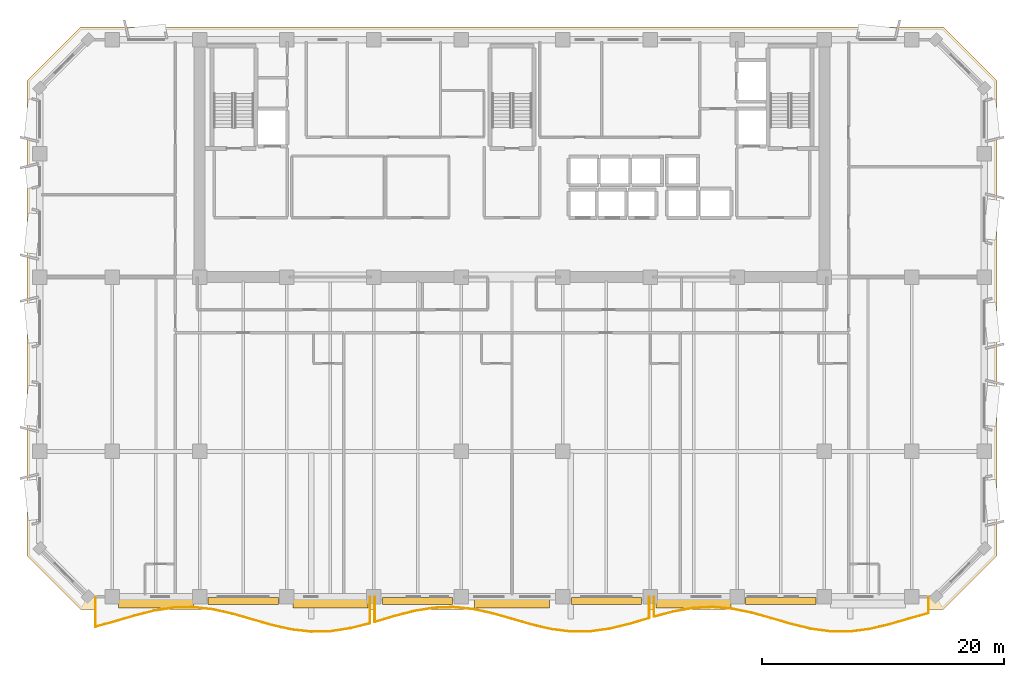
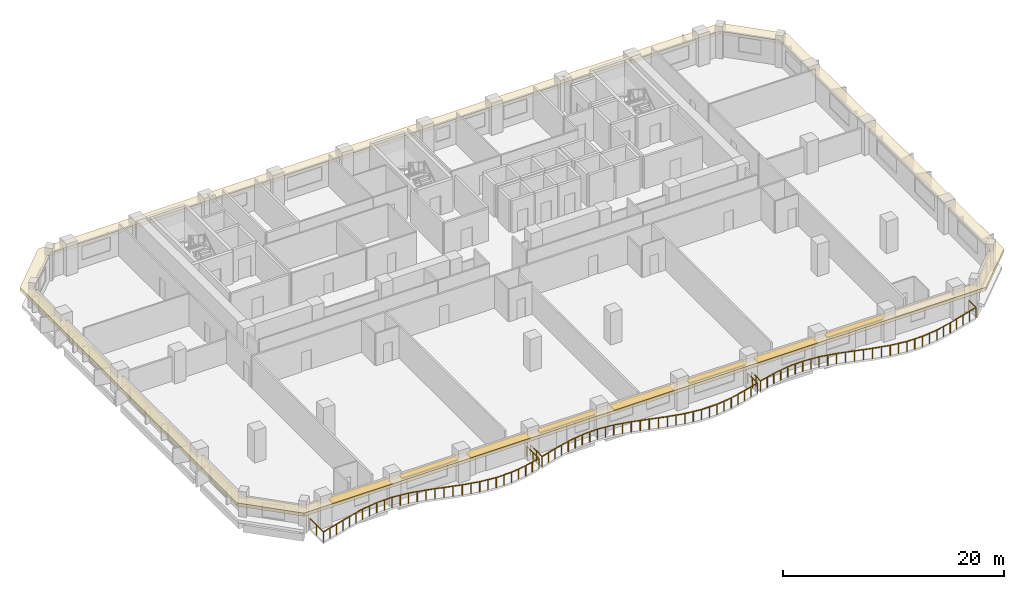
# One storey, part 10 of 14: 8 shading devices, 3 railings, 1 covering.
"""IFC4 building model written with IfcOpenShell, lengths in metres."""

from ifc_helpers import new_model, si_unit, direction, frame, origin, origin_2d, place, context, subcontext, project, spatial, polyline, rectangle, outline, extrude, material, layer, layer_set, type_object, element, save


model = new_model("IFC4")

# Units and contexts
model_context = context("Model", 3, precision=1e-05, world=origin(), true_north=direction((0.0, 1.0)))
body_context = subcontext(model_context, "Body", "Model", "MODEL_VIEW")
ifc_project = project(units=[si_unit("LENGTHUNIT", "METRE"), si_unit("AREAUNIT", "SQUARE_METRE"), si_unit("VOLUMEUNIT", "CUBIC_METRE"), si_unit("PLANEANGLEUNIT", "RADIAN"), si_unit("MASSUNIT", "GRAM", prefix="KILO")], contexts=[model_context])

# Site, building, storey
site_placement = place(None, origin())
site = spatial("IfcSite", under=ifc_project, at=site_placement, CompositionType="ELEMENT")
building_placement = place(site_placement, origin())
building = spatial("IfcBuilding", under=site, at=building_placement, Name="Kaelvorn Grand Hotel", CompositionType="ELEMENT")
storey_placement = place(building_placement, frame((0.0, 0.0, 220.550048828125)))
storey = spatial("IfcBuildingStorey", under=building, at=storey_placement, Name="L54", CompositionType="ELEMENT", Elevation=220.550048828125)

# Covering
ifc_material_1 = material(Name="Precast concrete C45/55", Category="concrete")
ifc_layer_1 = layer(ifc_material_1, 0.260009765625)
ifc_layer_set_1 = layer_set([ifc_layer_1], Name="Precast concrete C45/55")
covering_type = type_object("IfcCoveringType", Name="COV-BAND-STREAMLINE-HEAD", PredefinedType="CLADDING", material=ifc_layer_set_1)
covering_placement = place(storey_placement, frame((0.0, 0.0, 2.3798828125)))
element("IfcCovering", 1, at=covering_placement, inside=storey, type_object=covering_type, Name="L54 Streamline Moderne Wraparound Horizontal Eyebrow Band", PredefinedType="CLADDING", context=body_context, shape_type="SweptSolid", body=[
    extrude(outline(polyline([(6.389892578125, 1.949951171875), (77.610107421875, 1.949951171875), (82.050048828125, 6.389892578125), (82.050048828125, 45.610107421875), (77.610107421875, 50.050048828125), (6.389892578125, 50.050048828125), (1.949951171875, 45.610107421875), (1.949951171875, 6.389892578125), (6.389892578125, 1.949951171875)]), holes=[polyline([(7.02001953125, 3.030029296875), (76.97998046875, 3.030029296875), (80.969970703125, 7.02001953125), (80.969970703125, 44.97998046875), (76.97998046875, 48.969970703125), (7.02001953125, 48.969970703125), (3.030029296875, 44.97998046875), (3.030029296875, 7.02001953125), (7.02001953125, 3.030029296875)])]), origin(), (0.0, 0.0, 1.0), 0.360107421875),
])

# Railings
ifc_material_2 = material(Name="Stainless Steel", Category="steel")
railing_type = type_object("IfcRailingType", Name="RL-BALC-1150", PredefinedType="BALUSTRADE", material=ifc_material_2)
railing_1_placement = place(storey_placement, frame((7.60009765625, 3.0, 0.0)))
element("IfcRailing", 2, at=railing_1_placement, inside=storey, type_object=railing_type, Name="L54 Scalloped Wave Balcony Balustrade GR1-1", PredefinedType="BALUSTRADE", context=body_context, shape_type="SweptSolid", body=[
    extrude(rectangle(XDim=0.048095703125, YDim=0.048095703125, at=origin_2d()), frame((0.0, 0.0, 1.1259765625), z_axis=(0.0, -1.0, 0.0), x_axis=(1.0, 0.0, 0.0)), (0.0, 0.0, 1.0), 2.4775390625),
    extrude(rectangle(XDim=0.048095703125, YDim=0.048095703125, at=origin_2d()), frame((0.0, -2.4775390625, 1.1259765625), z_axis=(0.964706723911, 0.263326673244, 0.0), x_axis=(-0.263326673244, 0.964706723911, 0.0)), (0.0, 0.0, 1.0), 1.67822265625),
    extrude(rectangle(XDim=0.048095703125, YDim=0.048095703125, at=origin_2d()), frame((1.618896484375, -2.03564453125, 1.1259765625), z_axis=(0.959271015447, 0.282487378343, 0.0), x_axis=(-0.282487378343, 0.959271015447, 0.0)), (0.0, 0.0, 1.0), 1.68798828125),
    extrude(rectangle(XDim=0.048095703125, YDim=0.048095703125, at=origin_2d()), frame((3.238037109375, -1.558837890625, 1.1259765625), z_axis=(0.969684876745, 0.244358834119, 0.0), x_axis=(-0.244358834119, 0.969684876745, 0.0)), (0.0, 0.0, 1.0), 1.66943359375),
    extrude(rectangle(XDim=0.048095703125, YDim=0.048095703125, at=origin_2d()), frame((4.85693359375, -1.15087890625, 1.1259765625), z_axis=(0.988266376018, 0.152740204375, 0.0), x_axis=(-0.152740204375, 0.988266376018, 0.0)), (0.0, 0.0, 1.0), 1.638427734375),
    extrude(rectangle(XDim=0.048095703125, YDim=0.048095703125, at=origin_2d()), frame((6.47607421875, -0.900634765625, 1.1259765625), z_axis=(0.999719909885, 0.023666469519, 0.0), x_axis=(-0.023666469519, 0.999719909885, 0.0)), (0.0, 0.0, 1.0), 1.61962890625),
    extrude(rectangle(XDim=0.048095703125, YDim=0.048095703125, at=origin_2d()), frame((8.09521484375, -0.8623046875, 1.1259765625), z_axis=(0.993714448336, -0.111944607587, 0.0), x_axis=(0.111944607587, 0.993714448336, 0.0)), (0.0, 0.0, 1.0), 1.629150390625),
    extrude(rectangle(XDim=0.048095703125, YDim=0.048095703125, at=origin_2d()), frame((9.714111328125, -1.044677734375, 1.1259765625), z_axis=(0.975741913749, -0.218923999949, 0.0), x_axis=(0.218923999949, 0.975741913749, 0.0)), (0.0, 0.0, 1.0), 1.659423828125),
    extrude(rectangle(XDim=0.048095703125, YDim=0.048095703125, at=origin_2d()), frame((11.333251953125, -1.407958984375, 1.1259765625), z_axis=(0.961173148549, -0.275945970271, 0.0), x_axis=(0.275945970271, 0.961173148549, 0.0)), (0.0, 0.0, 1.0), 1.6845703125),
    extrude(rectangle(XDim=0.048095703125, YDim=0.048095703125, at=origin_2d()), frame((12.952392578125, -1.872802734375, 1.1259765625), z_axis=(0.961085178818, -0.276252201904, 0.0), x_axis=(0.276252201904, 0.961085178818, 0.0)), (0.0, 0.0, 1.0), 1.684326171875),
    extrude(rectangle(XDim=0.048095703125, YDim=0.048095703125, at=origin_2d()), frame((14.5712890625, -2.338134765625, 1.1259765625), z_axis=(0.975584547078, -0.219624205185, 0.0), x_axis=(0.219624205185, 0.975584547078, 0.0)), (0.0, 0.0, 1.0), 1.65966796875),
    extrude(rectangle(XDim=0.048095703125, YDim=0.048095703125, at=origin_2d()), frame((16.1904296875, -2.70263671875, 1.1259765625), z_axis=(0.993580397726, -0.113128215998, 0.0), x_axis=(0.113128215998, 0.993580397726, 0.0)), (0.0, 0.0, 1.0), 1.62939453125),
    extrude(rectangle(XDim=0.048095703125, YDim=0.048095703125, at=origin_2d()), frame((17.809326171875, -2.886962890625, 1.1259765625), z_axis=(0.999751090068, 0.022310488741, 0.0), x_axis=(-0.022310488741, 0.999751090068, 0.0)), (0.0, 0.0, 1.0), 1.61962890625),
    extrude(rectangle(XDim=0.048095703125, YDim=0.048095703125, at=origin_2d()), frame((19.428466796875, -2.850830078125, 1.1259765625), z_axis=(0.988423330197, 0.151721192723, 0.0), x_axis=(-0.151721192723, 0.988423330197, 0.0)), (0.0, 0.0, 1.0), 1.63818359375),
    extrude(rectangle(XDim=0.048095703125, YDim=0.048095703125, at=origin_2d()), frame((21.047607421875, -2.602294921875, 1.1259765625), z_axis=(0.969857916649, 0.243671133937, 0.0), x_axis=(-0.243671133937, 0.969857916649, 0.0)), (0.0, 0.0, 1.0), 1.669189453125),
    extrude(rectangle(XDim=0.048095703125, YDim=0.048095703125, at=origin_2d()), frame((22.66650390625, -2.195556640625, 1.1259765625), z_axis=(0.0, 1.0, 0.0), x_axis=(-1.0, 0.0, 0.0)), (0.0, 0.0, 1.0), 2.195556640625),
    extrude(rectangle(XDim=0.0419921875, YDim=0.0419921875, at=origin_2d()), origin(), (0.0, 0.0, 1.0), 1.101806640625),
    extrude(rectangle(XDim=0.0419921875, YDim=0.0419921875, at=origin_2d()), frame((0.0, -1.23876953125, 0.0)), (0.0, 0.0, 1.0), 1.101806640625),
    extrude(rectangle(XDim=0.0419921875, YDim=0.0419921875, at=origin_2d()), frame((0.0, -2.4775390625, 0.0)), (0.0, 0.0, 1.0), 1.101806640625),
    extrude(rectangle(XDim=0.0419921875, YDim=0.0419921875, at=origin_2d()), frame((0.8095703125, -2.256591796875, 0.0)), (0.0, 0.0, 1.0), 1.101806640625),
    extrude(rectangle(XDim=0.0419921875, YDim=0.0419921875, at=origin_2d()), frame((1.618896484375, -2.03564453125, 0.0)), (0.0, 0.0, 1.0), 1.101806640625),
    extrude(rectangle(XDim=0.0419921875, YDim=0.0419921875, at=origin_2d()), frame((2.428466796875, -1.79736328125, 0.0)), (0.0, 0.0, 1.0), 1.101806640625),
    extrude(rectangle(XDim=0.0419921875, YDim=0.0419921875, at=origin_2d()), frame((3.238037109375, -1.558837890625, 0.0)), (0.0, 0.0, 1.0), 1.101806640625),
    extrude(rectangle(XDim=0.0419921875, YDim=0.0419921875, at=origin_2d()), frame((4.04736328125, -1.35498046875, 0.0)), (0.0, 0.0, 1.0), 1.101806640625),
    extrude(rectangle(XDim=0.0419921875, YDim=0.0419921875, at=origin_2d()), frame((4.85693359375, -1.15087890625, 0.0)), (0.0, 0.0, 1.0), 1.101806640625),
    extrude(rectangle(XDim=0.0419921875, YDim=0.0419921875, at=origin_2d()), frame((5.66650390625, -1.02587890625, 0.0)), (0.0, 0.0, 1.0), 1.101806640625),
    extrude(rectangle(XDim=0.0419921875, YDim=0.0419921875, at=origin_2d()), frame((6.47607421875, -0.900634765625, 0.0)), (0.0, 0.0, 1.0), 1.101806640625),
    extrude(rectangle(XDim=0.0419921875, YDim=0.0419921875, at=origin_2d()), frame((7.28564453125, -0.88134765625, 0.0)), (0.0, 0.0, 1.0), 1.101806640625),
    extrude(rectangle(XDim=0.0419921875, YDim=0.0419921875, at=origin_2d()), frame((8.09521484375, -0.8623046875, 0.0)), (0.0, 0.0, 1.0), 1.101806640625),
    extrude(rectangle(XDim=0.0419921875, YDim=0.0419921875, at=origin_2d()), frame((8.90478515625, -0.95361328125, 0.0)), (0.0, 0.0, 1.0), 1.101806640625),
    extrude(rectangle(XDim=0.0419921875, YDim=0.0419921875, at=origin_2d()), frame((9.714111328125, -1.044677734375, 0.0)), (0.0, 0.0, 1.0), 1.101806640625),
    extrude(rectangle(XDim=0.0419921875, YDim=0.0419921875, at=origin_2d()), frame((10.523681640625, -1.226318359375, 0.0)), (0.0, 0.0, 1.0), 1.101806640625),
    extrude(rectangle(XDim=0.0419921875, YDim=0.0419921875, at=origin_2d()), frame((11.333251953125, -1.407958984375, 0.0)), (0.0, 0.0, 1.0), 1.101806640625),
    extrude(rectangle(XDim=0.0419921875, YDim=0.0419921875, at=origin_2d()), frame((12.142822265625, -1.640380859375, 0.0)), (0.0, 0.0, 1.0), 1.101806640625),
    extrude(rectangle(XDim=0.0419921875, YDim=0.0419921875, at=origin_2d()), frame((12.952392578125, -1.872802734375, 0.0)), (0.0, 0.0, 1.0), 1.101806640625),
    extrude(rectangle(XDim=0.0419921875, YDim=0.0419921875, at=origin_2d()), frame((13.76171875, -2.10546875, 0.0)), (0.0, 0.0, 1.0), 1.101806640625),
    extrude(rectangle(XDim=0.0419921875, YDim=0.0419921875, at=origin_2d()), frame((14.5712890625, -2.338134765625, 0.0)), (0.0, 0.0, 1.0), 1.101806640625),
    extrude(rectangle(XDim=0.0419921875, YDim=0.0419921875, at=origin_2d()), frame((15.380859375, -2.5205078125, 0.0)), (0.0, 0.0, 1.0), 1.101806640625),
    extrude(rectangle(XDim=0.0419921875, YDim=0.0419921875, at=origin_2d()), frame((16.1904296875, -2.70263671875, 0.0)), (0.0, 0.0, 1.0), 1.101806640625),
    extrude(rectangle(XDim=0.0419921875, YDim=0.0419921875, at=origin_2d()), frame((17.0, -2.794921875, 0.0)), (0.0, 0.0, 1.0), 1.101806640625),
    extrude(rectangle(XDim=0.0419921875, YDim=0.0419921875, at=origin_2d()), frame((17.809326171875, -2.886962890625, 0.0)), (0.0, 0.0, 1.0), 1.101806640625),
    extrude(rectangle(XDim=0.0419921875, YDim=0.0419921875, at=origin_2d()), frame((18.618896484375, -2.868896484375, 0.0)), (0.0, 0.0, 1.0), 1.101806640625),
    extrude(rectangle(XDim=0.0419921875, YDim=0.0419921875, at=origin_2d()), frame((19.428466796875, -2.850830078125, 0.0)), (0.0, 0.0, 1.0), 1.101806640625),
    extrude(rectangle(XDim=0.0419921875, YDim=0.0419921875, at=origin_2d()), frame((20.238037109375, -2.7265625, 0.0)), (0.0, 0.0, 1.0), 1.101806640625),
    extrude(rectangle(XDim=0.0419921875, YDim=0.0419921875, at=origin_2d()), frame((21.047607421875, -2.602294921875, 0.0)), (0.0, 0.0, 1.0), 1.101806640625),
    extrude(rectangle(XDim=0.0419921875, YDim=0.0419921875, at=origin_2d()), frame((21.85693359375, -2.39892578125, 0.0)), (0.0, 0.0, 1.0), 1.101806640625),
    extrude(rectangle(XDim=0.0419921875, YDim=0.0419921875, at=origin_2d()), frame((22.66650390625, -2.195556640625, 0.0)), (0.0, 0.0, 1.0), 1.101806640625),
    extrude(rectangle(XDim=0.0419921875, YDim=0.0419921875, at=origin_2d()), frame((22.66650390625, -1.09765625, 0.0)), (0.0, 0.0, 1.0), 1.101806640625),
    extrude(rectangle(XDim=0.0419921875, YDim=0.0419921875, at=origin_2d()), frame((22.66650390625, 0.0, 0.0)), (0.0, 0.0, 1.0), 1.101806640625),
])
railing_2_placement = place(storey_placement, frame((30.666748046875, 3.0, 0.0)))
element("IfcRailing", 3, at=railing_2_placement, inside=storey, type_object=railing_type, Name="L54 Scalloped Wave Balcony Balustrade GR1-2", PredefinedType="BALUSTRADE", context=body_context, shape_type="SweptSolid", body=[
    extrude(rectangle(XDim=0.048095703125, YDim=0.048095703125, at=origin_2d()), frame((0.0, 0.0, 1.1259765625), z_axis=(0.0, -1.0, 0.0), x_axis=(1.0, 0.0, 0.0)), (0.0, 0.0, 1.0), 2.080322265625),
    extrude(rectangle(XDim=0.048095703125, YDim=0.048095703125, at=origin_2d()), frame((0.0, -2.080322265625, 1.1259765625), z_axis=(0.959063249993, 0.283191953474, 0.0), x_axis=(-0.283191953474, 0.959063249993, 0.0)), (0.0, 0.0, 1.0), 1.68798828125),
    extrude(rectangle(XDim=0.048095703125, YDim=0.048095703125, at=origin_2d()), frame((1.618896484375, -1.602294921875, 1.1259765625), z_axis=(0.968153012553, 0.250359230478, 0.0), x_axis=(-0.250359230478, 0.968153012553, 0.0)), (0.0, 0.0, 1.0), 1.67236328125),
    extrude(rectangle(XDim=0.048095703125, YDim=0.048095703125, at=origin_2d()), frame((3.238037109375, -1.18359375, 1.1259765625), z_axis=(0.986570255456, 0.163337475949, 0.0), x_axis=(-0.163337475949, 0.986570255456, 0.0)), (0.0, 0.0, 1.0), 1.64111328125),
    extrude(rectangle(XDim=0.048095703125, YDim=0.048095703125, at=origin_2d()), frame((4.857177734375, -0.91552734375, 1.1259765625), z_axis=(0.999334712879, 0.036470969766, 0.0), x_axis=(-0.036470969766, 0.999334712879, 0.0)), (0.0, 0.0, 1.0), 1.619873046875),
    extrude(rectangle(XDim=0.048095703125, YDim=0.048095703125, at=origin_2d()), frame((6.47607421875, -0.8564453125, 1.1259765625), z_axis=(0.994995510951, -0.099919633639, 0.0), x_axis=(0.099919633639, 0.994995510951, 0.0)), (0.0, 0.0, 1.0), 1.627197265625),
    extrude(rectangle(XDim=0.048095703125, YDim=0.048095703125, at=origin_2d()), frame((8.09521484375, -1.01904296875, 1.1259765625), z_axis=(0.977557965922, -0.210666616393, 0.0), x_axis=(0.210666616393, 0.977557965922, 0.0)), (0.0, 0.0, 1.0), 1.656005859375),
    extrude(rectangle(XDim=0.048095703125, YDim=0.048095703125, at=origin_2d()), frame((9.714111328125, -1.367919921875, 1.1259765625), z_axis=(0.962015046514, -0.272996429062, 0.0), x_axis=(0.272996429062, 0.962015046514, 0.0)), (0.0, 0.0, 1.0), 1.68310546875),
    extrude(rectangle(XDim=0.048095703125, YDim=0.048095703125, at=origin_2d()), frame((11.333251953125, -1.827392578125, 1.1259765625), z_axis=(0.960401242625, -0.278620625876, 0.0), x_axis=(0.278620625876, 0.960401242625, 0.0)), (0.0, 0.0, 1.0), 1.685791015625),
    extrude(rectangle(XDim=0.048095703125, YDim=0.048095703125, at=origin_2d()), frame((12.952392578125, -2.297119140625, 1.1259765625), z_axis=(0.973816289073, -0.22733639202, 0.0), x_axis=(0.22733639202, 0.973816289073, 0.0)), (0.0, 0.0, 1.0), 1.662353515625),
    extrude(rectangle(XDim=0.048095703125, YDim=0.048095703125, at=origin_2d()), frame((14.5712890625, -2.675048828125, 1.1259765625), z_axis=(0.992185538276, -0.124771221188, 0.0), x_axis=(0.124771221188, 0.992185538276, 0.0)), (0.0, 0.0, 1.0), 1.6318359375),
    extrude(rectangle(XDim=0.048095703125, YDim=0.048095703125, at=origin_2d()), frame((16.1904296875, -2.878662109375, 1.1259765625), z_axis=(0.9999576899, 0.009198826585, 0.0), x_axis=(-0.009198826585, 0.9999576899, 0.0)), (0.0, 0.0, 1.0), 1.618896484375),
    extrude(rectangle(XDim=0.048095703125, YDim=0.048095703125, at=origin_2d()), frame((17.809326171875, -2.86376953125, 1.1259765625), z_axis=(0.9900626322, 0.140627110907, 0.0), x_axis=(-0.140627110907, 0.9900626322, 0.0)), (0.0, 0.0, 1.0), 1.635498046875),
    extrude(rectangle(XDim=0.048095703125, YDim=0.048095703125, at=origin_2d()), frame((19.428466796875, -2.6337890625, 1.1259765625), z_axis=(0.971438035801, 0.237293368214, 0.0), x_axis=(-0.237293368214, 0.971438035801, 0.0)), (0.0, 0.0, 1.0), 1.666748046875),
    extrude(rectangle(XDim=0.048095703125, YDim=0.048095703125, at=origin_2d()), frame((21.047607421875, -2.23828125, 1.1259765625), z_axis=(0.959650766176, 0.281194606949, 0.0), x_axis=(-0.281194606949, 0.959650766176, 0.0)), (0.0, 0.0, 1.0), 1.68701171875),
    extrude(rectangle(XDim=0.048095703125, YDim=0.048095703125, at=origin_2d()), frame((22.66650390625, -1.763916015625, 1.1259765625), z_axis=(0.0, 1.0, 0.0), x_axis=(-1.0, 0.0, 0.0)), (0.0, 0.0, 1.0), 1.763916015625),
    extrude(rectangle(XDim=0.0419921875, YDim=0.0419921875, at=origin_2d()), origin(), (0.0, 0.0, 1.0), 1.101806640625),
    extrude(rectangle(XDim=0.0419921875, YDim=0.0419921875, at=origin_2d()), frame((0.0, -1.0400390625, 0.0)), (0.0, 0.0, 1.0), 1.101806640625),
    extrude(rectangle(XDim=0.0419921875, YDim=0.0419921875, at=origin_2d()), frame((0.0, -2.080322265625, 0.0)), (0.0, 0.0, 1.0), 1.101806640625),
    extrude(rectangle(XDim=0.0419921875, YDim=0.0419921875, at=origin_2d()), frame((0.8095703125, -1.84130859375, 0.0)), (0.0, 0.0, 1.0), 1.101806640625),
    extrude(rectangle(XDim=0.0419921875, YDim=0.0419921875, at=origin_2d()), frame((1.618896484375, -1.602294921875, 0.0)), (0.0, 0.0, 1.0), 1.101806640625),
    extrude(rectangle(XDim=0.0419921875, YDim=0.0419921875, at=origin_2d()), frame((2.428466796875, -1.39306640625, 0.0)), (0.0, 0.0, 1.0), 1.101806640625),
    extrude(rectangle(XDim=0.0419921875, YDim=0.0419921875, at=origin_2d()), frame((3.238037109375, -1.18359375, 0.0)), (0.0, 0.0, 1.0), 1.101806640625),
    extrude(rectangle(XDim=0.0419921875, YDim=0.0419921875, at=origin_2d()), frame((4.047607421875, -1.049560546875, 0.0)), (0.0, 0.0, 1.0), 1.101806640625),
    extrude(rectangle(XDim=0.0419921875, YDim=0.0419921875, at=origin_2d()), frame((4.857177734375, -0.91552734375, 0.0)), (0.0, 0.0, 1.0), 1.101806640625),
    extrude(rectangle(XDim=0.0419921875, YDim=0.0419921875, at=origin_2d()), frame((5.66650390625, -0.885986328125, 0.0)), (0.0, 0.0, 1.0), 1.101806640625),
    extrude(rectangle(XDim=0.0419921875, YDim=0.0419921875, at=origin_2d()), frame((6.47607421875, -0.8564453125, 0.0)), (0.0, 0.0, 1.0), 1.101806640625),
    extrude(rectangle(XDim=0.0419921875, YDim=0.0419921875, at=origin_2d()), frame((7.28564453125, -0.937744140625, 0.0)), (0.0, 0.0, 1.0), 1.101806640625),
    extrude(rectangle(XDim=0.0419921875, YDim=0.0419921875, at=origin_2d()), frame((8.09521484375, -1.01904296875, 0.0)), (0.0, 0.0, 1.0), 1.101806640625),
    extrude(rectangle(XDim=0.0419921875, YDim=0.0419921875, at=origin_2d()), frame((8.90478515625, -1.193359375, 0.0)), (0.0, 0.0, 1.0), 1.101806640625),
    extrude(rectangle(XDim=0.0419921875, YDim=0.0419921875, at=origin_2d()), frame((9.714111328125, -1.367919921875, 0.0)), (0.0, 0.0, 1.0), 1.101806640625),
    extrude(rectangle(XDim=0.0419921875, YDim=0.0419921875, at=origin_2d()), frame((10.523681640625, -1.59765625, 0.0)), (0.0, 0.0, 1.0), 1.101806640625),
    extrude(rectangle(XDim=0.0419921875, YDim=0.0419921875, at=origin_2d()), frame((11.333251953125, -1.827392578125, 0.0)), (0.0, 0.0, 1.0), 1.101806640625),
    extrude(rectangle(XDim=0.0419921875, YDim=0.0419921875, at=origin_2d()), frame((12.142822265625, -2.062255859375, 0.0)), (0.0, 0.0, 1.0), 1.101806640625),
    extrude(rectangle(XDim=0.0419921875, YDim=0.0419921875, at=origin_2d()), frame((12.952392578125, -2.297119140625, 0.0)), (0.0, 0.0, 1.0), 1.101806640625),
    extrude(rectangle(XDim=0.0419921875, YDim=0.0419921875, at=origin_2d()), frame((13.76171875, -2.486083984375, 0.0)), (0.0, 0.0, 1.0), 1.101806640625),
    extrude(rectangle(XDim=0.0419921875, YDim=0.0419921875, at=origin_2d()), frame((14.5712890625, -2.675048828125, 0.0)), (0.0, 0.0, 1.0), 1.101806640625),
    extrude(rectangle(XDim=0.0419921875, YDim=0.0419921875, at=origin_2d()), frame((15.380859375, -2.77685546875, 0.0)), (0.0, 0.0, 1.0), 1.101806640625),
    extrude(rectangle(XDim=0.0419921875, YDim=0.0419921875, at=origin_2d()), frame((16.1904296875, -2.878662109375, 0.0)), (0.0, 0.0, 1.0), 1.101806640625),
    extrude(rectangle(XDim=0.0419921875, YDim=0.0419921875, at=origin_2d()), frame((17.0, -2.87109375, 0.0)), (0.0, 0.0, 1.0), 1.101806640625),
    extrude(rectangle(XDim=0.0419921875, YDim=0.0419921875, at=origin_2d()), frame((17.809326171875, -2.86376953125, 0.0)), (0.0, 0.0, 1.0), 1.101806640625),
    extrude(rectangle(XDim=0.0419921875, YDim=0.0419921875, at=origin_2d()), frame((18.618896484375, -2.748779296875, 0.0)), (0.0, 0.0, 1.0), 1.101806640625),
    extrude(rectangle(XDim=0.0419921875, YDim=0.0419921875, at=origin_2d()), frame((19.428466796875, -2.6337890625, 0.0)), (0.0, 0.0, 1.0), 1.101806640625),
    extrude(rectangle(XDim=0.0419921875, YDim=0.0419921875, at=origin_2d()), frame((20.238037109375, -2.43603515625, 0.0)), (0.0, 0.0, 1.0), 1.101806640625),
    extrude(rectangle(XDim=0.0419921875, YDim=0.0419921875, at=origin_2d()), frame((21.047607421875, -2.23828125, 0.0)), (0.0, 0.0, 1.0), 1.101806640625),
    extrude(rectangle(XDim=0.0419921875, YDim=0.0419921875, at=origin_2d()), frame((21.85693359375, -2.0009765625, 0.0)), (0.0, 0.0, 1.0), 1.101806640625),
    extrude(rectangle(XDim=0.0419921875, YDim=0.0419921875, at=origin_2d()), frame((22.66650390625, -1.763916015625, 0.0)), (0.0, 0.0, 1.0), 1.101806640625),
    extrude(rectangle(XDim=0.0419921875, YDim=0.0419921875, at=origin_2d()), frame((22.66650390625, -0.8818359375, 0.0)), (0.0, 0.0, 1.0), 1.101806640625),
    extrude(rectangle(XDim=0.0419921875, YDim=0.0419921875, at=origin_2d()), frame((22.66650390625, 0.0, 0.0)), (0.0, 0.0, 1.0), 1.101806640625),
])
railing_3_placement = place(storey_placement, frame((53.7333984375, 3.0, 0.0)))
element("IfcRailing", 4, at=railing_3_placement, inside=storey, type_object=railing_type, Name="L54 Scalloped Wave Balcony Balustrade GR1-3", PredefinedType="BALUSTRADE", context=body_context, shape_type="SweptSolid", body=[
    extrude(rectangle(XDim=0.048095703125, YDim=0.048095703125, at=origin_2d()), frame((0.0, 0.0, 1.1259765625), z_axis=(0.0, -1.0, 0.0), x_axis=(1.0, 0.0, 0.0)), (0.0, 0.0, 1.0), 1.646240234375),
    extrude(rectangle(XDim=0.048095703125, YDim=0.048095703125, at=origin_2d()), frame((0.0, -1.646240234375, 1.1259765625), z_axis=(0.966714773479, 0.255856496374, 0.0), x_axis=(-0.255856496374, 0.966714773479, 0.0)), (0.0, 0.0, 1.0), 1.674560546875),
    extrude(rectangle(XDim=0.048095703125, YDim=0.048095703125, at=origin_2d()), frame((1.618896484375, -1.2177734375, 1.1259765625), z_axis=(0.984817922582, 0.17359049329, 0.0), x_axis=(-0.17359049329, 0.984817922582, 0.0)), (0.0, 0.0, 1.0), 1.64404296875),
    extrude(rectangle(XDim=0.048095703125, YDim=0.048095703125, at=origin_2d()), frame((3.238037109375, -0.932373046875, 1.1259765625), z_axis=(0.998779232858, 0.049396801625, 0.0), x_axis=(-0.049396801625, 0.998779232858, 0.0)), (0.0, 0.0, 1.0), 1.62109375),
    extrude(rectangle(XDim=0.048095703125, YDim=0.048095703125, at=origin_2d()), frame((4.857177734375, -0.852294921875, 1.1259765625), z_axis=(0.996144150132, -0.087731591566, 0.0), x_axis=(0.087731591566, 0.996144150132, 0.0)), (0.0, 0.0, 1.0), 1.625244140625),
    extrude(rectangle(XDim=0.048095703125, YDim=0.048095703125, at=origin_2d()), frame((6.47607421875, -0.994873046875, 1.1259765625), z_axis=(0.979381482603, -0.202019582057, 0.0), x_axis=(0.202019582057, 0.979381482603, 0.0)), (0.0, 0.0, 1.0), 1.6533203125),
    extrude(rectangle(XDim=0.048095703125, YDim=0.048095703125, at=origin_2d()), frame((8.09521484375, -1.328857421875, 1.1259765625), z_axis=(0.962989656047, -0.269538350418, 0.0), x_axis=(0.269538350418, 0.962989656047, 0.0)), (0.0, 0.0, 1.0), 1.68115234375),
    extrude(rectangle(XDim=0.048095703125, YDim=0.048095703125, at=origin_2d()), frame((9.714111328125, -1.781982421875, 1.1259765625), z_axis=(0.959818254788, -0.280622375759, 0.0), x_axis=(0.280622375759, 0.959818254788, 0.0)), (0.0, 0.0, 1.0), 1.68701171875),
    extrude(rectangle(XDim=0.048095703125, YDim=0.048095703125, at=origin_2d()), frame((11.333251953125, -2.25537109375, 1.1259765625), z_axis=(0.972143279615, -0.234387379992, 0.0), x_axis=(0.234387379992, 0.972143279615, 0.0)), (0.0, 0.0, 1.0), 1.66552734375),
    extrude(rectangle(XDim=0.048095703125, YDim=0.048095703125, at=origin_2d()), frame((12.952392578125, -2.645751953125, 1.1259765625), z_axis=(0.990674050906, -0.136253164594, 0.0), x_axis=(0.136253164594, 0.990674050906, 0.0)), (0.0, 0.0, 1.0), 1.634033203125),
    extrude(rectangle(XDim=0.048095703125, YDim=0.048095703125, at=origin_2d()), frame((14.5712890625, -2.868408203125, 1.1259765625), z_axis=(0.999992315375, -0.003920355881, 0.0), x_axis=(0.003920355881, 0.999992315375, 0.0)), (0.0, 0.0, 1.0), 1.619140625),
    extrude(rectangle(XDim=0.048095703125, YDim=0.048095703125, at=origin_2d()), frame((16.1904296875, -2.874755859375, 1.1259765625), z_axis=(0.991601244907, 0.129332792045, 0.0), x_axis=(-0.129332792045, 0.991601244907, 0.0)), (0.0, 0.0, 1.0), 1.6328125),
    extrude(rectangle(XDim=0.048095703125, YDim=0.048095703125, at=origin_2d()), frame((17.8095703125, -2.66357421875, 1.1259765625), z_axis=(0.973129632445, 0.230257938969, 0.0), x_axis=(-0.230257938969, 0.973129632445, 0.0)), (0.0, 0.0, 1.0), 1.66357421875),
    extrude(rectangle(XDim=0.048095703125, YDim=0.048095703125, at=origin_2d()), frame((19.428466796875, -2.280517578125, 1.1259765625), z_axis=(0.960129612925, 0.279555229578, 0.0), x_axis=(-0.279555229578, 0.960129612925, 0.0)), (0.0, 0.0, 1.0), 1.686279296875),
    extrude(rectangle(XDim=0.048095703125, YDim=0.048095703125, at=origin_2d()), frame((21.047607421875, -1.80908203125, 1.1259765625), z_axis=(0.962422446372, 0.271556687854, 0.0), x_axis=(-0.271556687854, 0.962422446372, 0.0)), (0.0, 0.0, 1.0), 1.68212890625),
    extrude(rectangle(XDim=0.048095703125, YDim=0.048095703125, at=origin_2d()), frame((22.66650390625, -1.352294921875, 1.1259765625), z_axis=(0.0, 1.0, 0.0), x_axis=(-1.0, 0.0, 0.0)), (0.0, 0.0, 1.0), 1.352294921875),
    extrude(rectangle(XDim=0.0419921875, YDim=0.0419921875, at=origin_2d()), origin(), (0.0, 0.0, 1.0), 1.101806640625),
    extrude(rectangle(XDim=0.0419921875, YDim=0.0419921875, at=origin_2d()), frame((0.0, -0.8232421875, 0.0)), (0.0, 0.0, 1.0), 1.101806640625),
    extrude(rectangle(XDim=0.0419921875, YDim=0.0419921875, at=origin_2d()), frame((0.0, -1.646240234375, 0.0)), (0.0, 0.0, 1.0), 1.101806640625),
    extrude(rectangle(XDim=0.0419921875, YDim=0.0419921875, at=origin_2d()), frame((0.8095703125, -1.43212890625, 0.0)), (0.0, 0.0, 1.0), 1.101806640625),
    extrude(rectangle(XDim=0.0419921875, YDim=0.0419921875, at=origin_2d()), frame((1.618896484375, -1.2177734375, 0.0)), (0.0, 0.0, 1.0), 1.101806640625),
    extrude(rectangle(XDim=0.0419921875, YDim=0.0419921875, at=origin_2d()), frame((2.428466796875, -1.0751953125, 0.0)), (0.0, 0.0, 1.0), 1.101806640625),
    extrude(rectangle(XDim=0.0419921875, YDim=0.0419921875, at=origin_2d()), frame((3.238037109375, -0.932373046875, 0.0)), (0.0, 0.0, 1.0), 1.101806640625),
    extrude(rectangle(XDim=0.0419921875, YDim=0.0419921875, at=origin_2d()), frame((4.047607421875, -0.892333984375, 0.0)), (0.0, 0.0, 1.0), 1.101806640625),
    extrude(rectangle(XDim=0.0419921875, YDim=0.0419921875, at=origin_2d()), frame((4.857177734375, -0.852294921875, 0.0)), (0.0, 0.0, 1.0), 1.101806640625),
    extrude(rectangle(XDim=0.0419921875, YDim=0.0419921875, at=origin_2d()), frame((5.66650390625, -0.923583984375, 0.0)), (0.0, 0.0, 1.0), 1.101806640625),
    extrude(rectangle(XDim=0.0419921875, YDim=0.0419921875, at=origin_2d()), frame((6.47607421875, -0.994873046875, 0.0)), (0.0, 0.0, 1.0), 1.101806640625),
    extrude(rectangle(XDim=0.0419921875, YDim=0.0419921875, at=origin_2d()), frame((7.28564453125, -1.161865234375, 0.0)), (0.0, 0.0, 1.0), 1.101806640625),
    extrude(rectangle(XDim=0.0419921875, YDim=0.0419921875, at=origin_2d()), frame((8.09521484375, -1.328857421875, 0.0)), (0.0, 0.0, 1.0), 1.101806640625),
    extrude(rectangle(XDim=0.0419921875, YDim=0.0419921875, at=origin_2d()), frame((8.90478515625, -1.555419921875, 0.0)), (0.0, 0.0, 1.0), 1.101806640625),
    extrude(rectangle(XDim=0.0419921875, YDim=0.0419921875, at=origin_2d()), frame((9.714111328125, -1.781982421875, 0.0)), (0.0, 0.0, 1.0), 1.101806640625),
    extrude(rectangle(XDim=0.0419921875, YDim=0.0419921875, at=origin_2d()), frame((10.523681640625, -2.0185546875, 0.0)), (0.0, 0.0, 1.0), 1.101806640625),
    extrude(rectangle(XDim=0.0419921875, YDim=0.0419921875, at=origin_2d()), frame((11.333251953125, -2.25537109375, 0.0)), (0.0, 0.0, 1.0), 1.101806640625),
    extrude(rectangle(XDim=0.0419921875, YDim=0.0419921875, at=origin_2d()), frame((12.142822265625, -2.45068359375, 0.0)), (0.0, 0.0, 1.0), 1.101806640625),
    extrude(rectangle(XDim=0.0419921875, YDim=0.0419921875, at=origin_2d()), frame((12.952392578125, -2.645751953125, 0.0)), (0.0, 0.0, 1.0), 1.101806640625),
    extrude(rectangle(XDim=0.0419921875, YDim=0.0419921875, at=origin_2d()), frame((13.76171875, -2.757080078125, 0.0)), (0.0, 0.0, 1.0), 1.101806640625),
    extrude(rectangle(XDim=0.0419921875, YDim=0.0419921875, at=origin_2d()), frame((14.5712890625, -2.868408203125, 0.0)), (0.0, 0.0, 1.0), 1.101806640625),
    extrude(rectangle(XDim=0.0419921875, YDim=0.0419921875, at=origin_2d()), frame((15.380859375, -2.87158203125, 0.0)), (0.0, 0.0, 1.0), 1.101806640625),
    extrude(rectangle(XDim=0.0419921875, YDim=0.0419921875, at=origin_2d()), frame((16.1904296875, -2.874755859375, 0.0)), (0.0, 0.0, 1.0), 1.101806640625),
    extrude(rectangle(XDim=0.0419921875, YDim=0.0419921875, at=origin_2d()), frame((17.0, -2.76904296875, 0.0)), (0.0, 0.0, 1.0), 1.101806640625),
    extrude(rectangle(XDim=0.0419921875, YDim=0.0419921875, at=origin_2d()), frame((17.8095703125, -2.66357421875, 0.0)), (0.0, 0.0, 1.0), 1.101806640625),
    extrude(rectangle(XDim=0.0419921875, YDim=0.0419921875, at=origin_2d()), frame((18.619140625, -2.47216796875, 0.0)), (0.0, 0.0, 1.0), 1.101806640625),
    extrude(rectangle(XDim=0.0419921875, YDim=0.0419921875, at=origin_2d()), frame((19.428466796875, -2.280517578125, 0.0)), (0.0, 0.0, 1.0), 1.101806640625),
    extrude(rectangle(XDim=0.0419921875, YDim=0.0419921875, at=origin_2d()), frame((20.238037109375, -2.044921875, 0.0)), (0.0, 0.0, 1.0), 1.101806640625),
    extrude(rectangle(XDim=0.0419921875, YDim=0.0419921875, at=origin_2d()), frame((21.047607421875, -1.80908203125, 0.0)), (0.0, 0.0, 1.0), 1.101806640625),
    extrude(rectangle(XDim=0.0419921875, YDim=0.0419921875, at=origin_2d()), frame((21.85693359375, -1.58056640625, 0.0)), (0.0, 0.0, 1.0), 1.101806640625),
    extrude(rectangle(XDim=0.0419921875, YDim=0.0419921875, at=origin_2d()), frame((22.66650390625, -1.352294921875, 0.0)), (0.0, 0.0, 1.0), 1.101806640625),
    extrude(rectangle(XDim=0.0419921875, YDim=0.0419921875, at=origin_2d()), frame((22.66650390625, 0.0, 0.0)), (0.0, 0.0, 1.0), 1.101806640625),
])

# Shading devices
ifc_layer_2 = layer(ifc_material_1, 0.1201171875)
ifc_layer_set_2 = layer_set([ifc_layer_2], Name="Precast concrete C45/55")
shading_device_type_1 = type_object("IfcShadingDeviceType", Name="SHD-SUNSHADE-550", PredefinedType="USERDEFINED", material=ifc_layer_set_2)
for number, where, z_axis, x_axis, name in (
    (5, (19.800048828125, 2.64501953125, 2.559814453125), (0.0, 0.0, 1.0), (1.0, 0.0, 0.0), "L54 Horizontal Concrete Sunshade Band SS-03"),
    (6, (34.199951171875, 2.64501953125, 2.559814453125), (0.0, 0.0, 1.0), (1.0, 0.0, 0.0), "L54 Horizontal Concrete Sunshade Band SS-05"),
    (7, (49.800048828125, 2.64501953125, 2.559814453125), (0.0, 0.0, 1.0), (1.0, 0.0, 0.0), "L54 Horizontal Concrete Sunshade Band SS-07"),
    (8, (64.199951171875, 2.64501953125, 2.559814453125), (0.0, 0.0, 1.0), (1.0, 0.0, 0.0), "L54 Horizontal Concrete Sunshade Band SS-09"),
):
    element("IfcShadingDevice", number, at=place(storey_placement, frame(where, z_axis=z_axis, x_axis=x_axis)), inside=storey, type_object=shading_device_type_1, Name=name, ObjectType="SUNSHADE", PredefinedType="USERDEFINED", context=body_context, shape_type="SweptSolid", body=[
        extrude(rectangle(XDim=5.800048828125, YDim=0.550048828125, at=origin_2d()), origin(), (0.0, 0.0, 1.0), 0.1201171875),
    ])
ifc_layer_3 = layer(ifc_material_1, 0.139892578125)
ifc_layer_set_3 = layer_set([ifc_layer_3], Name="Precast concrete C45/55")
shading_device_type_2 = type_object("IfcShadingDeviceType", Name="SHD-SUNSHADE-850", PredefinedType="USERDEFINED", material=ifc_layer_set_3)
for number, where, z_axis, x_axis, name in (
    (9, (12.60009765625, 2.4951171875, 2.5498046875), (0.0, 0.0, 1.0), (1.0, 0.0, 0.0), "L54 Horizontal Concrete Sunshade Band SS-02"),
    (10, (27.0, 2.4951171875, 2.5498046875), (0.0, 0.0, 1.0), (1.0, 0.0, 0.0), "L54 Horizontal Concrete Sunshade Band SS-04"),
    (11, (42.0, 2.4951171875, 2.5498046875), (0.0, 0.0, 1.0), (1.0, 0.0, 0.0), "L54 Horizontal Concrete Sunshade Band SS-06"),
    (12, (57.0, 2.4951171875, 2.5498046875), (0.0, 0.0, 1.0), (1.0, 0.0, 0.0), "L54 Horizontal Concrete Sunshade Band SS-08"),
):
    element("IfcShadingDevice", number, at=place(storey_placement, frame(where, z_axis=z_axis, x_axis=x_axis)), inside=storey, type_object=shading_device_type_2, Name=name, ObjectType="SUNSHADE", PredefinedType="USERDEFINED", context=body_context, shape_type="SweptSolid", body=[
        extrude(rectangle(XDim=6.199951171875, YDim=0.85009765625, at=origin_2d()), origin(), (0.0, 0.0, 1.0), 0.139892578125),
    ])

save(model, "model.ifc")
